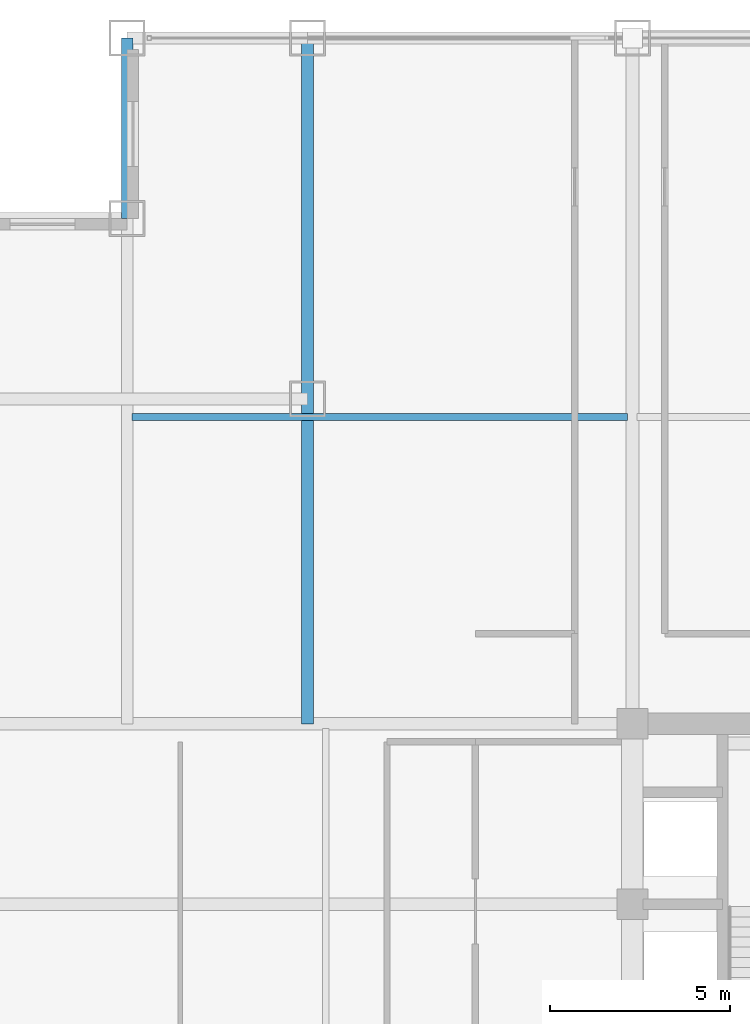
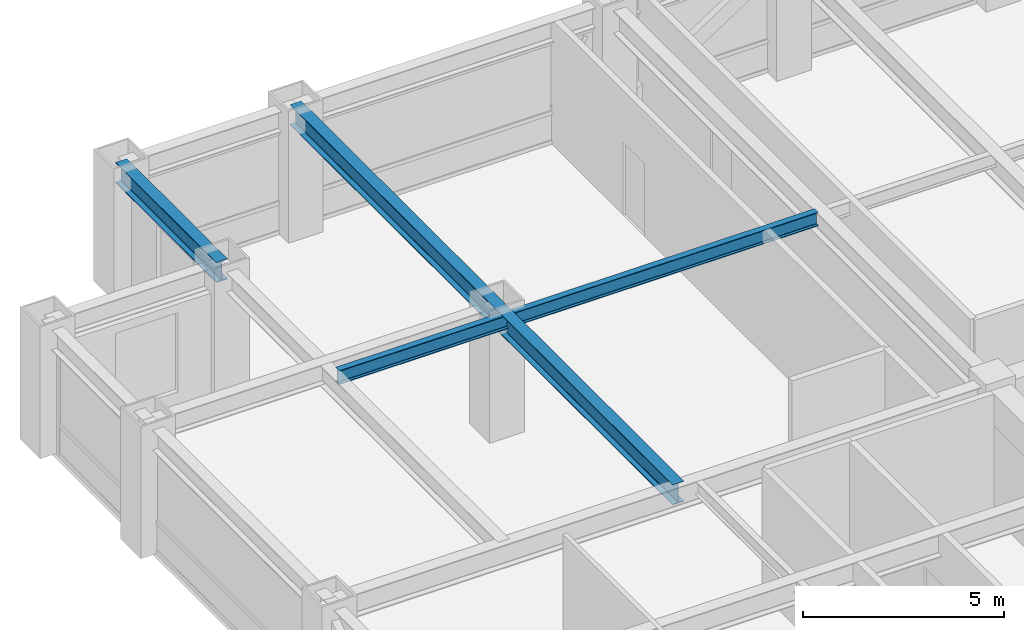
# One storey, part 13 of 24: 3 beams.
"""IFC4 building model written with IfcOpenShell, lengths in metres."""

from ifc_helpers import new_model, si_unit, direction, frame, origin, origin_2d, place, context, subcontext, project, spatial, i_section, extrude, source, transform, mapped, material, material_profile, profile_set, type_object, element, save


model = new_model("IFC4")

# Units and contexts
model_context = context("Model", 3, precision=1e-05, world=origin(), true_north=direction((0.0, 1.0)))
body_context = subcontext(model_context, "Body", "Model", "MODEL_VIEW")
ifc_project = project(units=[si_unit("LENGTHUNIT", "METRE"), si_unit("AREAUNIT", "SQUARE_METRE"), si_unit("VOLUMEUNIT", "CUBIC_METRE"), si_unit("PLANEANGLEUNIT", "RADIAN"), si_unit("MASSUNIT", "GRAM", prefix="KILO")], contexts=[model_context])

# Site, building, storey
site_placement = place(None, origin())
site = spatial("IfcSite", under=ifc_project, at=site_placement, CompositionType="ELEMENT")
building_placement = place(site_placement, origin())
building = spatial("IfcBuilding", under=site, at=building_placement, Name="Khorayat Bourse Tower", CompositionType="ELEMENT")
storey_placement = place(building_placement, frame((0.0, 0.0, 211.10009765625)))
storey = spatial("IfcBuildingStorey", under=building, at=storey_placement, Name="L49", CompositionType="ELEMENT", Elevation=211.10009765625)

# Beams
ifc_material = material(Name="Steel ASTM A992 Grade 50", Category="steel")
ifc_material_profile_1 = material_profile(ifc_material, i_section(OverallWidth=0.324951171875, OverallDepth=0.615966796875, WebThickness=0.013916015625, FlangeThickness=0.021484375, FilletRadius=0.01611328125, at=origin_2d()), Name="W610X174")
ifc_profile_set_1 = profile_set([ifc_material_profile_1], Name="Steel ASTM A992 Grade 50")
beam_type_1 = type_object("IfcBeamType", Name="BM-GIRD-610", PredefinedType="BEAM", material=ifc_profile_set_1)
shared_shape_1 = source(origin(), body_context, "Body", "SweptSolid", [
    extrude(i_section(OverallWidth=0.324951171875, OverallDepth=0.615966796875, WebThickness=0.013916015625, FlangeThickness=0.021484375, FilletRadius=0.01611328125, at=origin_2d()), origin(), (0.0, 0.0, 1.0), 19.0),
])
beam_1_placement = place(storey_placement, frame((-20.0, 11.0, 3.471923828125), z_axis=(0.0, 1.0, 0.0), x_axis=(-1.0, 0.0, 0.0)))
element("IfcBeam", 1, at=beam_1_placement, inside=storey, type_object=beam_type_1, Name="L49 BM-GIRD-610 BM-L49-CNRY-085", PredefinedType="BEAM", context=body_context, shape_type="MappedRepresentation", body=[
    mapped(shared_shape_1, transform((0.0, 0.0, 0.0), scale=1.0)),
])
ifc_material_profile_2 = material_profile(ifc_material, i_section(OverallWidth=0.324951171875, OverallDepth=0.615966796875, WebThickness=0.013916015625, FlangeThickness=0.021484375, FilletRadius=0.01611328125, at=origin_2d()), Name="W610X174")
ifc_profile_set_2 = profile_set([ifc_material_profile_2], Name="Steel ASTM A992 Grade 50")
beam_type_2 = type_object("IfcBeamType", Name="BM-SPAN-610", PredefinedType="SPANDREL", material=ifc_profile_set_2)
shared_shape_2 = source(origin(), body_context, "Body", "SweptSolid", [
    extrude(i_section(OverallWidth=0.324951171875, OverallDepth=0.615966796875, WebThickness=0.013916015625, FlangeThickness=0.021484375, FilletRadius=0.01611328125, at=origin_2d()), origin(), (0.0, 0.0, 1.0), 5.0),
])
beam_2_placement = place(storey_placement, frame((-25.0, 25.0, 3.471923828125), z_axis=(0.0, 1.0, 0.0), x_axis=(-1.0, 0.0, 0.0)))
element("IfcBeam", 2, at=beam_2_placement, inside=storey, type_object=beam_type_2, Name="L49 BM-SPAN-610 BM-L49-SPN-052", PredefinedType="SPANDREL", context=body_context, shape_type="MappedRepresentation", body=[
    mapped(shared_shape_2, transform((0.0, 0.0, 0.0), scale=1.0)),
])
ifc_material_profile_3 = material_profile(ifc_material, i_section(OverallWidth=0.180908203125, OverallDepth=0.4169921875, WebThickness=0.010986328125, FlangeThickness=0.018310546875, FilletRadius=0.011962890625, at=origin_2d()), Name="W410X85")
ifc_profile_set_3 = profile_set([ifc_material_profile_3], Name="Steel ASTM A992 Grade 50")
beam_type_3 = type_object("IfcBeamType", Name="BM-JOIST-410", PredefinedType="JOIST", material=ifc_profile_set_3)
shared_shape_3 = source(origin(), body_context, "Body", "SweptSolid", [
    extrude(i_section(OverallWidth=0.180908203125, OverallDepth=0.4169921875, WebThickness=0.010986328125, FlangeThickness=0.018310546875, FilletRadius=0.011962890625, at=origin_2d()), origin(), (0.0, 0.0, 1.0), 13.740234375),
])
beam_3_placement = place(storey_placement, frame((-24.8701171875, 19.5, 3.5712890625), z_axis=(1.0, 0.0, 0.0), x_axis=(0.0, 1.0, 0.0)))
element("IfcBeam", 3, at=beam_3_placement, inside=storey, type_object=beam_type_3, Name="L49 BM-JOIST-410 BM-L49-JSTX-099", PredefinedType="JOIST", context=body_context, shape_type="MappedRepresentation", body=[
    mapped(shared_shape_3, transform((0.0, 0.0, 0.0), scale=1.0)),
])

save(model, "model.ifc")
